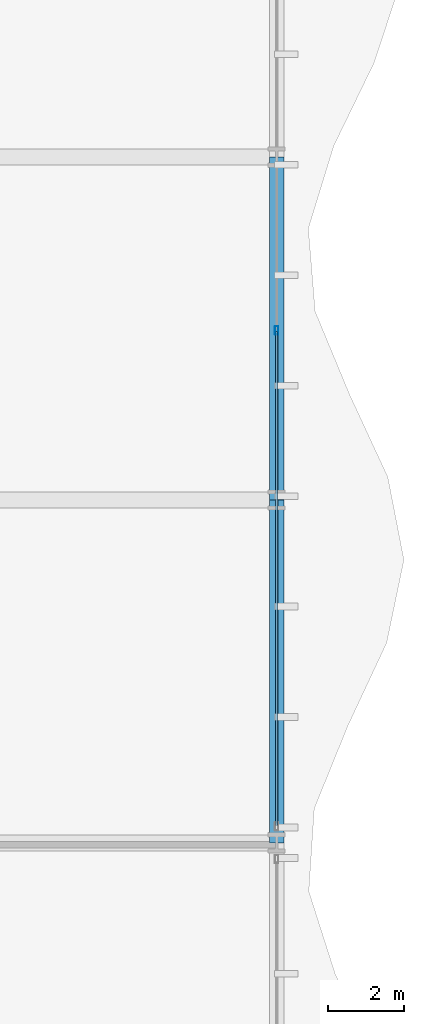
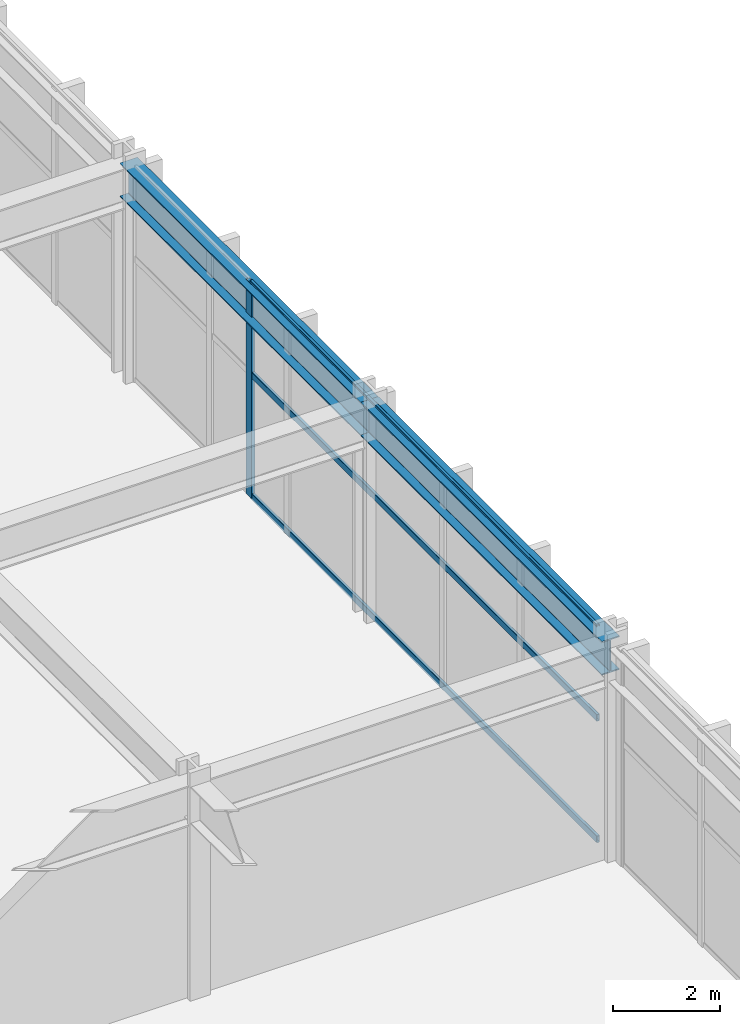
# One storey, part 19 of 33: 4 members, 2 beams, 1 element without a shape of its own.
"""IFC4 building model written with IfcOpenShell, lengths in metres."""

from ifc_helpers import new_model, si_unit, direction, frame, origin, origin_2d, place, context, subcontext, project, spatial, hollow_rectangle, i_section, extrude, material, layer, layer_set, material_profile, profile_set, type_object, element, aggregate, save


model = new_model("IFC4")

# Units and contexts
model_context = context("Model", 3, precision=1e-05, world=origin(), true_north=direction((0.0, 1.0)))
body_context = subcontext(model_context, "Body", "Model", "MODEL_VIEW")
ifc_project = project(units=[si_unit("LENGTHUNIT", "METRE"), si_unit("AREAUNIT", "SQUARE_METRE"), si_unit("VOLUMEUNIT", "CUBIC_METRE"), si_unit("PLANEANGLEUNIT", "RADIAN"), si_unit("MASSUNIT", "GRAM", prefix="KILO")], contexts=[model_context])

# Site, building, storey
site_placement = place(None, origin())
site = spatial("IfcSite", under=ifc_project, at=site_placement, CompositionType="ELEMENT")
building_placement = place(site_placement, origin())
building = spatial("IfcBuilding", under=site, at=building_placement, Name="Solvaryn Broadcast Tower", CompositionType="ELEMENT")
storey_placement = place(building_placement, frame((0.0, 0.0, 5.800048828125)))
storey = spatial("IfcBuildingStorey", under=building, at=storey_placement, Name="L01", CompositionType="ELEMENT", Elevation=5.800048828125)

# Beams
ifc_material_1 = material(Name="Steel ASTM A992 Grade 50", Category="steel")
ifc_material_profile_1 = material_profile(ifc_material_1, i_section(OverallWidth=0.381103515625, OverallDepth=0.77294921875, WebThickness=0.0166015625, FlangeThickness=0.027099609375, FilletRadius=0.01806640625, at=origin_2d()))
ifc_profile_set_1 = profile_set([ifc_material_profile_1], Name="Steel ASTM A992 Grade 50")
beam_type = type_object("IfcBeamType", Name="BM-SP1-W30X173", PredefinedType="USERDEFINED", material=ifc_profile_set_1)
for number, where, z_axis, x_axis, name in (
    (1, (63.0, 27.0, 4.493408203125), (0.0, 1.0, 0.0), (-1.0, 0.0, 0.0), "L01 Spandrel Beam Y (27-36 @ X=63)"),
    (2, (63.0, 36.0, 4.493408203125), (0.0, 1.0, 0.0), (-1.0, 0.0, 0.0), "L01 Spandrel Beam Y (36-45 @ X=63)"),
):
    element("IfcBeam", number, at=place(storey_placement, frame(where, z_axis=z_axis, x_axis=x_axis)), inside=storey, type_object=beam_type, Name=name, ObjectType="SPANDREL", PredefinedType="USERDEFINED", context=body_context, shape_type="SweptSolid", body=[
        extrude(i_section(OverallWidth=0.381103515625, OverallDepth=0.77294921875, WebThickness=0.0166015625, FlangeThickness=0.027099609375, FilletRadius=0.01806640625, at=origin_2d()), origin(), (0.0, 0.0, 1.0), 9.0),
    ])

# Curtain wall, members
ifc_material_2 = material(Name="Aluminium and Terracotta Unitised Curtain Wall", Category="masonry")
ifc_layer = layer(ifc_material_2, 0.219970703125)
ifc_layer_set = layer_set([ifc_layer], Name="CW-SYS1-PODIUM")
curtain_wall_type = type_object("IfcCurtainWallType", Name="CW-SYS1-PODIUM", PredefinedType="NOTDEFINED", material=ifc_layer_set)
curtain_wall_placement = place(storey_placement, origin())
curtain_wall = element("IfcCurtainWall", 3, at=curtain_wall_placement, inside=storey, type_object=curtain_wall_type, Name="L01 Podium Curtain Wall E1", PredefinedType="NOTDEFINED")
ifc_material_3 = material(Name="Anodised Aluminium 6063-T6", Category="aluminium")
ifc_material_profile_2 = material_profile(ifc_material_3, hollow_rectangle(XDim=0.0849609375, YDim=0.219970703125, WallThickness=0.0048828125, InnerFilletRadius=0.0048828125, OuterFilletRadius=0.010009765625, at=origin_2d()))
ifc_profile_set_2 = profile_set([ifc_material_profile_2], Name="Anodised Aluminium 6063-T6")
member_type_1 = type_object("IfcMemberType", Name="CW-MUL-220", PredefinedType="MULLION", material=ifc_profile_set_2)
member_1_placement = place(storey_placement, frame((63.0, 40.449951171875, 0.0), z_axis=(0.0, 0.0, 1.0), x_axis=(1.0, 0.0, 0.0)))
member_1 = element("IfcMember", 4, at=member_1_placement, type_object=member_type_1, Name="CWS1 mullion 2", PredefinedType="MULLION", context=body_context, shape_type="SweptSolid", body=[
    extrude(hollow_rectangle(XDim=0.0849609375, YDim=0.219970703125, WallThickness=0.0048828125, InnerFilletRadius=0.0048828125, OuterFilletRadius=0.010009765625, at=origin_2d()), origin(), (0.0, 0.0, 1.0), 4.8798828125),
])
ifc_material_4 = material(Name="Anodised Aluminium 6063-T6", Category="aluminium")
ifc_material_profile_3 = material_profile(ifc_material_4, hollow_rectangle(XDim=0.06494140625, YDim=0.14990234375, WallThickness=0.00390625, InnerFilletRadius=0.00390625, OuterFilletRadius=0.008056640625, at=origin_2d()))
ifc_profile_set_3 = profile_set([ifc_material_profile_3], Name="Anodised Aluminium 6063-T6")
member_type_2 = type_object("IfcMemberType", Name="CW-TRN-150", PredefinedType="USERDEFINED", material=ifc_profile_set_3)
member_2_placement = place(storey_placement, frame((63.0, 40.419921875, 0.030029296875), z_axis=(0.0, -1.0, 0.0), x_axis=(1.0, 0.0, 0.0)))
member_2 = element("IfcMember", 5, at=member_2_placement, type_object=member_type_2, Name="CWS1 transom 2.1", ObjectType="TRANSOM", PredefinedType="USERDEFINED", context=body_context, shape_type="SweptSolid", body=[
    extrude(hollow_rectangle(XDim=0.06494140625, YDim=0.14990234375, WallThickness=0.00390625, InnerFilletRadius=0.00390625, OuterFilletRadius=0.008056640625, at=origin_2d()), origin(), (0.0, 0.0, 1.0), 12.9599609375),
])
member_3_placement = place(storey_placement, frame((63.0, 40.419921875, 2.800048828125), z_axis=(0.0, -1.0, 0.0), x_axis=(1.0, 0.0, 0.0)))
member_3 = element("IfcMember", 6, at=member_3_placement, type_object=member_type_2, Name="CWS1 transom 2.2", ObjectType="TRANSOM", PredefinedType="USERDEFINED", context=body_context, shape_type="SweptSolid", body=[
    extrude(hollow_rectangle(XDim=0.06494140625, YDim=0.14990234375, WallThickness=0.00390625, InnerFilletRadius=0.00390625, OuterFilletRadius=0.008056640625, at=origin_2d()), origin(), (0.0, 0.0, 1.0), 12.9599609375),
])
member_4_placement = place(storey_placement, frame((63.0, 40.419921875, 4.849853515625), z_axis=(0.0, -1.0, 0.0), x_axis=(1.0, 0.0, 0.0)))
member_4 = element("IfcMember", 7, at=member_4_placement, type_object=member_type_2, Name="CWS1 transom 2.3", ObjectType="TRANSOM", PredefinedType="USERDEFINED", context=body_context, shape_type="SweptSolid", body=[
    extrude(hollow_rectangle(XDim=0.06494140625, YDim=0.14990234375, WallThickness=0.00390625, InnerFilletRadius=0.00390625, OuterFilletRadius=0.008056640625, at=origin_2d()), origin(), (0.0, 0.0, 1.0), 12.9599609375),
])
aggregate(curtain_wall, [member_1, member_2, member_3, member_4])

save(model, "model.ifc")
